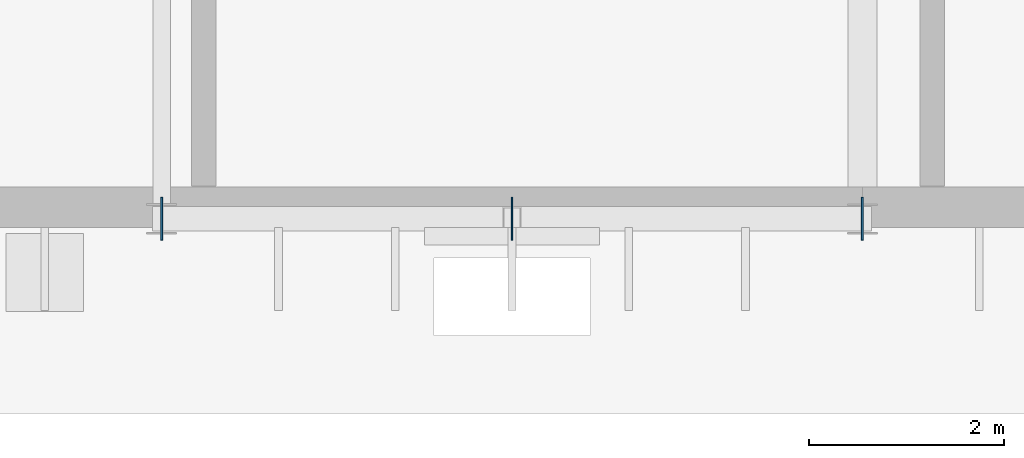
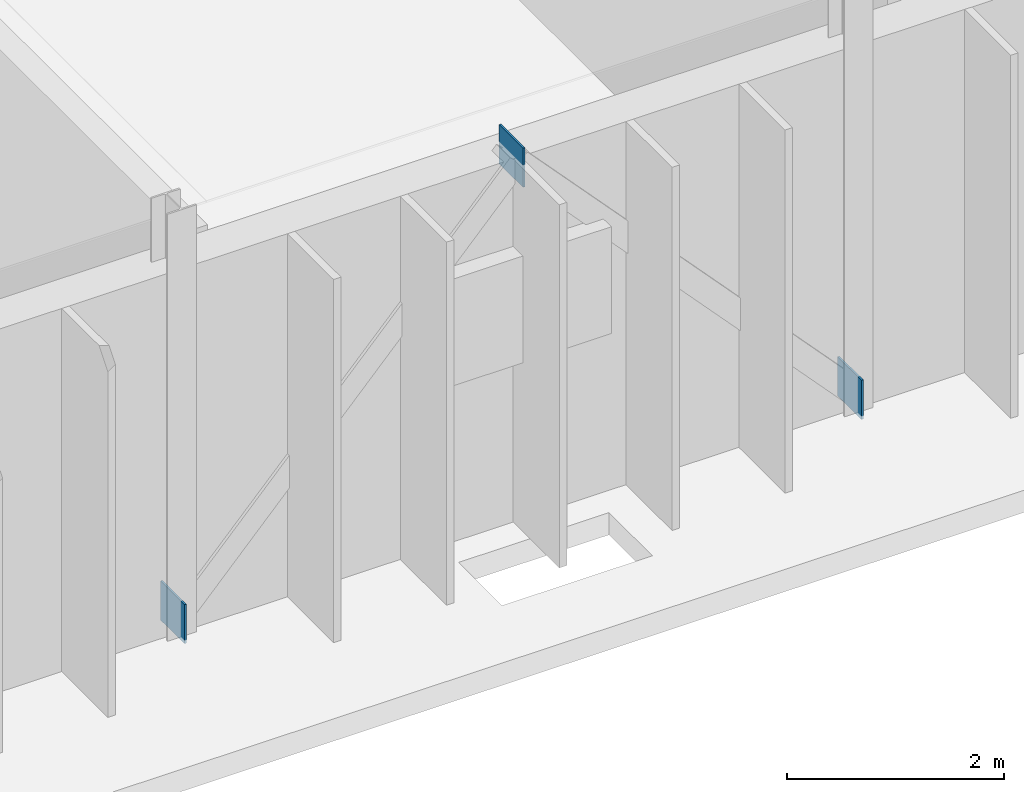
# One storey, part 72 of 118: 3 plates.
"""IFC4 building model written with IfcOpenShell, lengths in metres."""

from ifc_helpers import new_model, si_unit, direction, frame, origin, origin_2d, place, context, subcontext, project, spatial, rectangle, extrude, material, layer, layer_set, type_object, element, save


model = new_model("IFC4")

# Units and contexts
model_context = context("Model", 3, precision=1e-05, world=origin(), true_north=direction((0.0, 1.0)))
body_context = subcontext(model_context, "Body", "Model", "MODEL_VIEW")
ifc_project = project(units=[si_unit("LENGTHUNIT", "METRE"), si_unit("AREAUNIT", "SQUARE_METRE"), si_unit("VOLUMEUNIT", "CUBIC_METRE"), si_unit("PLANEANGLEUNIT", "RADIAN"), si_unit("MASSUNIT", "GRAM", prefix="KILO")], contexts=[model_context])

# Site, building, storey
site_placement = place(None, origin())
site = spatial("IfcSite", under=ifc_project, at=site_placement, CompositionType="ELEMENT")
building_placement = place(site_placement, origin())
building = spatial("IfcBuilding", under=site, at=building_placement, Name="Qelthora Terrace Specialist Clinic", CompositionType="ELEMENT")
storey_placement = place(building_placement, origin())
storey = spatial("IfcBuildingStorey", under=building, at=storey_placement, Name="L00", CompositionType="ELEMENT", Elevation=0.0)

# Plates
ifc_material = material(Name="Steel S355", Category="steel")
ifc_layer = layer(ifc_material, 0.02001953125)
ifc_layer_set = layer_set([ifc_layer], Name="Steel S355")
plate_type = type_object("IfcPlateType", Name="PLT-GUS-480X480X20", PredefinedType="USERDEFINED", material=ifc_layer_set)
for number, where, z_axis, x_axis, name in (
    (1, (7.199951171875, 0.0, -0.0400390625), (0.0, 0.0, 1.0), (1.0, 0.0, 0.0), "Steel truss node plate GPLT-0143"),
    (2, (10.800048828125, 0.0, 3.830078125), (0.0, 0.0, 1.0), (1.0, 0.0, 0.0), "Steel truss node plate GPLT-0144"),
    (3, (14.39990234375, 0.0, -0.0400390625), (0.0, 0.0, 1.0), (1.0, 0.0, 0.0), "Steel truss node plate GPLT-0145"),
):
    element("IfcPlate", number, at=place(storey_placement, frame(where, z_axis=z_axis, x_axis=x_axis)), inside=storey, type_object=plate_type, Name=name, ObjectType="GUSSET PLATE", PredefinedType="USERDEFINED", context=body_context, shape_type="SweptSolid", body=[
        extrude(rectangle(XDim=0.02001953125, YDim=0.43994140625, at=origin_2d()), origin(), (0.0, 0.0, 1.0), 0.43994140625),
    ])

save(model, "model.ifc")
